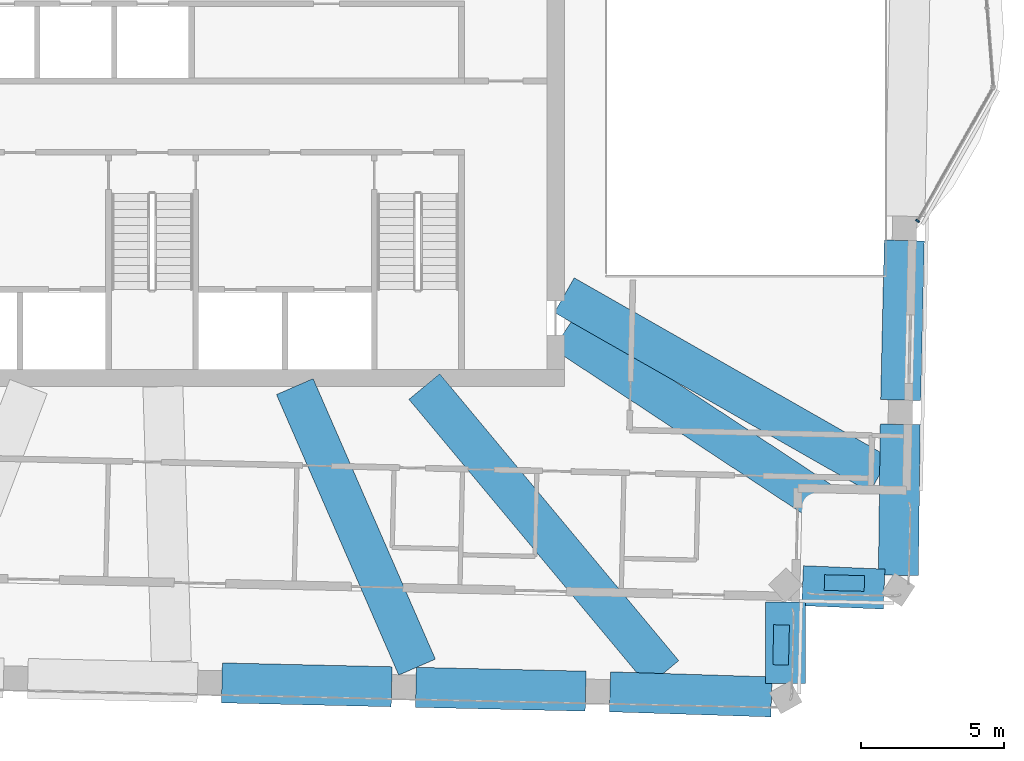
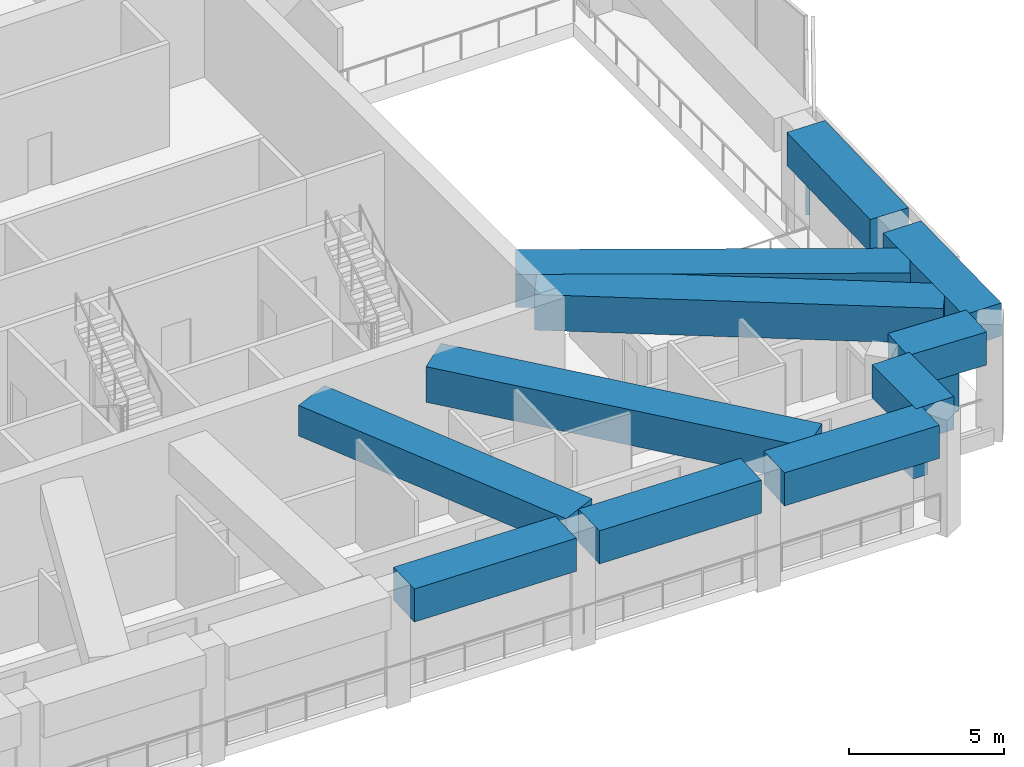
# One storey, part 3 of 17: 11 beams, 3 members, 1 element without a shape of its own.
"""IFC4 building model written with IfcOpenShell, lengths in metres."""

from ifc_helpers import new_model, si_unit, direction, frame, origin, origin_2d, place, context, subcontext, project, spatial, rectangle, extrude, material, material_profile, profile_set, type_object, element, aggregate, save


model = new_model("IFC4")

# Units and contexts
model_context = context("Model", 3, precision=1e-05, world=origin(), true_north=direction((0.0, 1.0)))
body_context = subcontext(model_context, "Body", "Model", "MODEL_VIEW")
ifc_project = project(units=[si_unit("LENGTHUNIT", "METRE"), si_unit("AREAUNIT", "SQUARE_METRE"), si_unit("VOLUMEUNIT", "CUBIC_METRE"), si_unit("PLANEANGLEUNIT", "RADIAN"), si_unit("MASSUNIT", "GRAM", prefix="KILO")], contexts=[model_context])

# Site, building, storey
site_placement = place(None, origin())
site = spatial("IfcSite", under=ifc_project, at=site_placement, CompositionType="ELEMENT")
building_placement = place(site_placement, origin())
building = spatial("IfcBuilding", under=site, at=building_placement, Name="Mangrove Gate Tower", CompositionType="ELEMENT")
storey_placement = place(building_placement, frame((0.0, 0.0, 337.89990234375)))
storey = spatial("IfcBuildingStorey", under=building, at=storey_placement, Name="L86", CompositionType="ELEMENT", Elevation=337.89990234375)

# Curtain wall, member
ifc_material_1 = material(Name="Aluminium and glass curtain wall", Category="aluminium")
curtain_wall_type = type_object("IfcCurtainWallType", Name="Crown garden glazing wall", PredefinedType="NOTDEFINED", material=ifc_material_1)
curtain_wall_placement = place(storey_placement, origin())
curtain_wall = element("IfcCurtainWall", 1, at=curtain_wall_placement, inside=storey, type_object=curtain_wall_type, Name="Crown garden glazing E1f1", PredefinedType="NOTDEFINED")
ifc_material_2 = material(Name="Aluminium alloy 6063-T6", Category="aluminium")
ifc_material_profile_1 = material_profile(ifc_material_2, rectangle(XDim=0.06005859375, YDim=0.139892578125, at=origin_2d()))
ifc_profile_set_1 = profile_set([ifc_material_profile_1], Name="Aluminium alloy 6063-T6")
member_type_1 = type_object("IfcMemberType", Name="Crown garden glazing mullion 60x140", PredefinedType="MULLION", material=ifc_profile_set_1)
member_1_placement = place(storey_placement, frame((26.767333984375, -5.598876953125, 0.0), z_axis=(0.0, 0.0, 1.0), x_axis=(0.492565947646, 0.870275121568, 0.0)))
member_1 = element("IfcMember", 2, at=member_1_placement, type_object=member_type_1, Name="CWC mullion 1", PredefinedType="MULLION", context=body_context, shape_type="SweptSolid", body=[
    extrude(rectangle(XDim=0.06005859375, YDim=0.139892578125, at=origin_2d()), origin(), (0.0, 0.0, 1.0), 2.75),
])
aggregate(curtain_wall, [member_1])

# Members
ifc_material_3 = material(Name="Planting on aluminium trellis", Category="aluminium")
ifc_material_profile_2 = material_profile(ifc_material_3, rectangle(XDim=0.550048828125, YDim=1.800048828125, at=origin_2d()))
ifc_profile_set_2 = profile_set([ifc_material_profile_2], Name="Planting on aluminium trellis")
member_type_2 = type_object("IfcMemberType", Name="Roof greenery screen 550x1800", PredefinedType="USERDEFINED", material=ifc_profile_set_2)
member_2_placement = place(storey_placement, frame((24.904052734375, -18.291015625, 1.7001953125), z_axis=(-0.999754553574, 0.022154742332, 0.0), x_axis=(-0.022154742332, -0.999754553574, 0.0)))
element("IfcMember", 3, at=member_2_placement, inside=storey, type_object=member_type_2, Name="GREEN SCREEN L86 T2.1.6", ObjectType="PLANTING", PredefinedType="USERDEFINED", context=body_context, shape_type="SweptSolid", body=[
    extrude(rectangle(XDim=0.550048828125, YDim=1.800048828125, at=origin_2d()), origin(), (0.0, 0.0, 1.0), 1.3994140625),
])
member_3_placement = place(storey_placement, frame((22.006103515625, -19.740966796875, 1.7001953125), z_axis=(-0.022836240226, -0.999739219063, 0.0), x_axis=(0.999739219063, -0.022836240226, 0.0)))
element("IfcMember", 4, at=member_3_placement, inside=storey, type_object=member_type_2, Name="GREEN SCREEN L86 T3.5.6", ObjectType="PLANTING", PredefinedType="USERDEFINED", context=body_context, shape_type="SweptSolid", body=[
    extrude(rectangle(XDim=0.550048828125, YDim=1.800048828125, at=origin_2d()), origin(), (0.0, 0.0, 1.0), 1.400390625),
])

# Beams
ifc_material_4 = material(Name="Concrete C50/60", Category="concrete")
ifc_material_profile_3 = material_profile(ifc_material_4, rectangle(XDim=1.39990234375, YDim=1.199951171875, at=origin_2d()))
ifc_profile_set_3 = profile_set([ifc_material_profile_3], Name="Concrete C50/60")
beam_type_1 = type_object("IfcBeamType", Name="Transfer girder RC 1400x1200 C50/60", PredefinedType="BEAM", material=ifc_profile_set_3)
beam_1_placement = place(storey_placement, frame((4.96826171875, -11.39990234375, 3.4501953125), z_axis=(0.399496039194, -0.916734920611, 0.0), x_axis=(0.916734920611, 0.399496039194, 0.0)))
element("IfcBeam", 5, at=beam_1_placement, inside=storey, type_object=beam_type_1, Name="Transfer girder L86 08", PredefinedType="BEAM", context=body_context, shape_type="SweptSolid", body=[
    extrude(rectangle(XDim=1.39990234375, YDim=1.199951171875, at=origin_2d()), origin(), (0.0, 0.0, 1.0), 10.711669921875),
])
ifc_material_5 = material(Name="Concrete C50/60", Category="concrete")
ifc_material_profile_4 = material_profile(ifc_material_5, rectangle(XDim=1.39990234375, YDim=1.300048828125, at=origin_2d()))
ifc_profile_set_4 = profile_set([ifc_material_profile_4], Name="Concrete C50/60")
beam_type_2 = type_object("IfcBeamType", Name="Transfer girder RC 1400x1300 C50/60", PredefinedType="BEAM", material=ifc_profile_set_4)
for number, where, z_axis, x_axis, name in (
    (6, (2.41650390625, -21.771728515625, 3.400146484375), (0.999739092301, -0.022841789, 0.0), (0.022841789, 0.999739092301, 0.0), "Transfer ring girder L86 08"),
    (7, (9.20751953125, -21.9267578125, 3.400146484375), (0.999742831422, -0.022677544399, 0.0), (0.022677544399, 0.999742831422, 0.0), "Transfer ring girder L86 09"),
):
    element("IfcBeam", number, at=place(storey_placement, frame(where, z_axis=z_axis, x_axis=x_axis)), inside=storey, type_object=beam_type_2, Name=name, PredefinedType="BEAM", context=body_context, shape_type="SweptSolid", body=[
        extrude(rectangle(XDim=1.39990234375, YDim=1.300048828125, at=origin_2d()), origin(), (0.0, 0.0, 1.0), 5.942626953125),
    ])
beam_2_placement = place(storey_placement, frame((15.99853515625, -22.08447265625, 3.400146484375), z_axis=(0.99949940425, -0.031637650098, 0.0), x_axis=(0.031637650098, 0.99949940425, 0.0)))
element("IfcBeam", 8, at=beam_2_placement, inside=storey, type_object=beam_type_2, Name="Transfer ring girder L86 10", PredefinedType="BEAM", context=body_context, shape_type="SweptSolid", body=[
    extrude(rectangle(XDim=1.39990234375, YDim=1.300048828125, at=origin_2d()), origin(), (0.0, 0.0, 1.0), 5.656494140625),
])
beam_3_placement = place(storey_placement, frame((22.148193359375, -21.791748046875, 3.400146484375), z_axis=(0.001195252284, 0.999999285686, 0.0), x_axis=(-0.999999285686, 0.001195252284, 0.0)))
element("IfcBeam", 9, at=beam_3_placement, inside=storey, type_object=beam_type_2, Name="Transfer ring girder L86 11", PredefinedType="BEAM", context=body_context, shape_type="SweptSolid", body=[
    extrude(rectangle(XDim=1.39990234375, YDim=1.300048828125, at=origin_2d()), origin(), (0.0, 0.0, 1.0), 2.859619140625),
])
beam_4_placement = place(storey_placement, frame((22.74169921875, -18.36865234375, 3.400146484375), z_axis=(0.999115204076, -0.042057210849, 0.0), x_axis=(0.042057210849, 0.999115204076, 0.0)))
element("IfcBeam", 10, at=beam_4_placement, inside=storey, type_object=beam_type_2, Name="Transfer ring girder L86 12", PredefinedType="BEAM", context=body_context, shape_type="SweptSolid", body=[
    extrude(rectangle(XDim=1.39990234375, YDim=1.300048828125, at=origin_2d()), origin(), (0.0, 0.0, 1.0), 2.85595703125),
])
beam_5_placement = place(storey_placement, frame((26.095458984375, -18.006103515625, 3.400146484375), z_axis=(0.01238009154, 0.99992336373, 0.0), x_axis=(-0.99992336373, 0.01238009154, 0.0)))
element("IfcBeam", 11, at=beam_5_placement, inside=storey, type_object=beam_type_2, Name="Transfer ring girder L86 13", PredefinedType="BEAM", context=body_context, shape_type="SweptSolid", body=[
    extrude(rectangle(XDim=1.39990234375, YDim=1.300048828125, at=origin_2d()), origin(), (0.0, 0.0, 1.0), 5.28515625),
])
beam_6_placement = place(storey_placement, frame((26.17578125, -11.87158203125, 3.400146484375), z_axis=(0.022675751709, 0.999742872085, 0.0), x_axis=(-0.999742872085, 0.022675751709, 0.0)))
element("IfcBeam", 12, at=beam_6_placement, inside=storey, type_object=beam_type_2, Name="Transfer ring girder L86 14", PredefinedType="BEAM", context=body_context, shape_type="SweptSolid", body=[
    extrude(rectangle(XDim=1.39990234375, YDim=1.300048828125, at=origin_2d()), origin(), (0.0, 0.0, 1.0), 5.587890625),
])
beam_7_placement = place(storey_placement, frame((14.39990234375, -8.20068359375, 3.400146484375), z_axis=(0.868976627228, -0.494853131071, 0.0), x_axis=(0.494853131071, 0.868976627228, 0.0)))
element("IfcBeam", 13, at=beam_7_placement, inside=storey, type_object=beam_type_2, Name="Transfer girder L86 12", PredefinedType="BEAM", context=body_context, shape_type="SweptSolid", body=[
    extrude(rectangle(XDim=1.39990234375, YDim=1.300048828125, at=origin_2d()), origin(), (0.0, 0.0, 1.0), 12.70361328125),
])
ifc_material_6 = material(Name="Concrete C50/60", Category="concrete")
ifc_material_profile_5 = material_profile(ifc_material_6, rectangle(XDim=1.39990234375, YDim=1.39990234375, at=origin_2d()))
ifc_profile_set_5 = profile_set([ifc_material_profile_5], Name="Concrete C50/60")
beam_type_3 = type_object("IfcBeamType", Name="Transfer girder RC 1400x1400 C50/60", PredefinedType="BEAM", material=ifc_profile_set_5)
beam_8_placement = place(storey_placement, frame((9.50146484375, -11.39990234375, 3.35009765625), z_axis=(0.640234002834, -0.768179940909, 0.0), x_axis=(0.768179940909, 0.640234002834, 0.0)))
element("IfcBeam", 14, at=beam_8_placement, inside=storey, type_object=beam_type_3, Name="Transfer girder L86 09", PredefinedType="BEAM", context=body_context, shape_type="SweptSolid", body=[
    extrude(rectangle(XDim=1.39990234375, YDim=1.39990234375, at=origin_2d()), origin(), (0.0, 0.0, 1.0), 13.07080078125),
])
beam_9_placement = place(storey_placement, frame((14.39990234375, -9.504150390625, 3.35009765625), z_axis=(0.83461945176, -0.550826988031, 0.0), x_axis=(0.550826988031, 0.83461945176, 0.0)))
element("IfcBeam", 15, at=beam_9_placement, inside=storey, type_object=beam_type_3, Name="Transfer girder L86 11", PredefinedType="BEAM", context=body_context, shape_type="SweptSolid", body=[
    extrude(rectangle(XDim=1.39990234375, YDim=1.39990234375, at=origin_2d()), origin(), (0.0, 0.0, 1.0), 13.1845703125),
])

save(model, "model.ifc")
